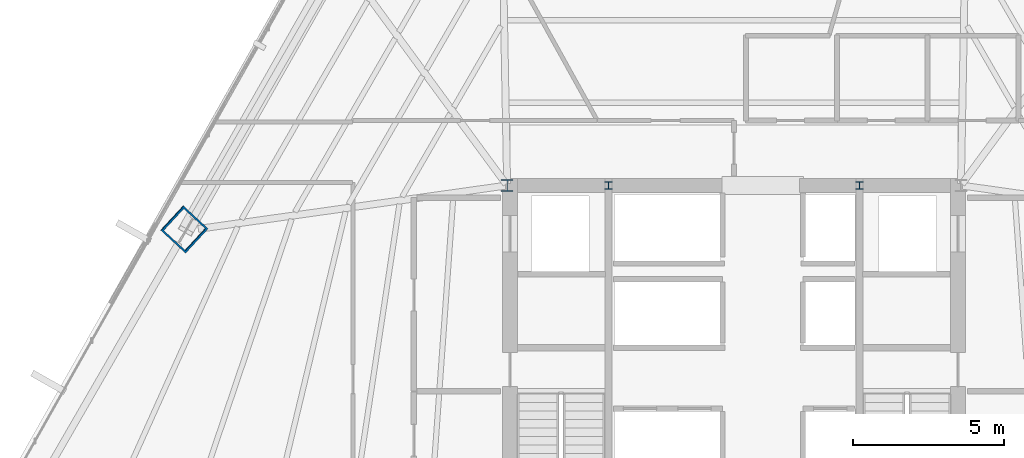
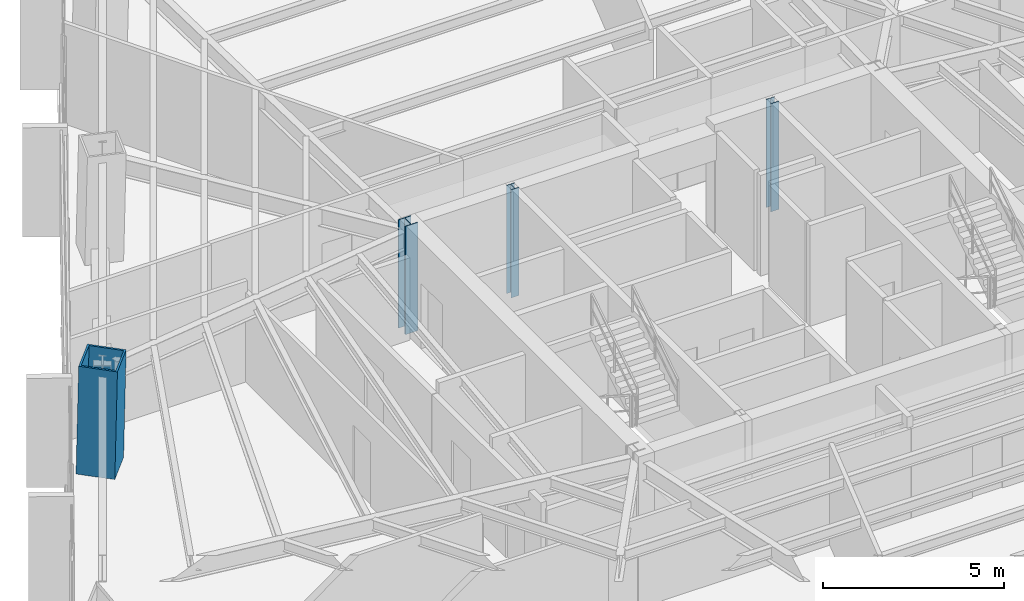
# One storey, part 2 of 35: 4 columns.
"""IFC4 building model written with IfcOpenShell, lengths in metres."""

from ifc_helpers import new_model, si_unit, direction, frame, origin, origin_2d, place, context, subcontext, project, spatial, hollow_rectangle, i_section, extrude, source, transform, mapped, material, material_profile, profile_set, type_object, type_shapes, element, save


model = new_model("IFC4")

# Units and contexts
model_context = context("Model", 3, precision=1e-05, world=origin(), true_north=direction((0.0, 1.0)))
body_context = subcontext(model_context, "Body", "Model", "MODEL_VIEW")
ifc_project = project(units=[si_unit("LENGTHUNIT", "METRE"), si_unit("AREAUNIT", "SQUARE_METRE"), si_unit("VOLUMEUNIT", "CUBIC_METRE"), si_unit("PLANEANGLEUNIT", "RADIAN"), si_unit("MASSUNIT", "GRAM", prefix="KILO")], contexts=[model_context])

# Site, building, storey
site_placement = place(None, origin())
site = spatial("IfcSite", under=ifc_project, at=site_placement, CompositionType="ELEMENT")
building_placement = place(site_placement, origin())
building = spatial("IfcBuilding", under=site, at=building_placement, Name="Caelisora Broadcast Tower", CompositionType="ELEMENT")
storey_placement = place(building_placement, frame((0.0, 0.0, 87.14990234375)))
storey = spatial("IfcBuildingStorey", under=building, at=storey_placement, Name="L22", CompositionType="ELEMENT", Elevation=87.14990234375)

# Columns
ifc_material_1 = material(Name="Steel Grade 350 (AS/NZS 3679.1)", Category="steel")
ifc_material_profile_1 = material_profile(ifc_material_1, i_section(OverallWidth=0.256103515625, OverallDepth=0.260009765625, WebThickness=0.010498046875, FlangeThickness=0.017333984375, at=origin_2d()), Name="Steel Grade 350 (AS/NZS 3679.1)")
ifc_profile_set_1 = profile_set([ifc_material_profile_1], Name="Steel Grade 350 (AS/NZS 3679.1)")
column_type_1 = type_object("IfcColumnType", Name="CC05", PredefinedType="COLUMN", material=ifc_profile_set_1)
shared_shape_1 = source(origin(), body_context, "Body", "SweptSolid", [
    extrude(i_section(OverallWidth=0.256103515625, OverallDepth=0.260009765625, WebThickness=0.010498046875, FlangeThickness=0.017333984375, at=origin_2d()), origin(), (0.0, 0.0, 1.0), 3.650146484375),
])
type_shapes(column_type_1, [shared_shape_1])
for number, where, z_axis, x_axis, name in (
    (1, (33.85009765625, 30.0, 0.0), (0.0, 0.0, 1.0), (1.0, 0.0, 0.0), "L22 column CC05"),
    (2, (42.14990234375, 30.0, 0.0), (0.0, 0.0, 1.0), (1.0, 0.0, 0.0), "L22 column CC05"),
):
    element("IfcColumn", number, at=place(storey_placement, frame(where, z_axis=z_axis, x_axis=x_axis)), inside=storey, type_object=column_type_1, Name=name, PredefinedType="COLUMN", context=body_context, shape_type="MappedRepresentation", body=[
        mapped(shared_shape_1, transform((0.0, 0.0, 0.0), scale=1.0)),
    ])
ifc_material_2 = material(Name="Steel Grade 350 L15 (AS/NZS 3678)", Category="steel")
ifc_material_profile_2 = material_profile(ifc_material_2, hollow_rectangle(XDim=1.10009765625, YDim=1.10009765625, WallThickness=0.06005859375, at=origin_2d()), Name="Steel Grade 350 L15 (AS/NZS 3678)")
ifc_profile_set_2 = profile_set([ifc_material_profile_2], Name="Steel Grade 350 L15 (AS/NZS 3678)")
column_type_2 = type_object("IfcColumnType", Name="MC03", PredefinedType="COLUMN", material=ifc_profile_set_2)
shared_shape_2 = source(origin(), body_context, "Body", "SweptSolid", [
    extrude(hollow_rectangle(XDim=1.10009765625, YDim=1.10009765625, WallThickness=0.06005859375, at=origin_2d()), origin(), (0.0, 0.0, 1.0), 3.65087890625),
])
type_shapes(column_type_2, [shared_shape_2])
column_1_placement = place(storey_placement, frame((19.8212890625, 28.5546875, 0.0), z_axis=(0.014912316331, -0.013775502979, 0.999793907933), x_axis=(0.678553674548, 0.734550822447, 0.0)))
element("IfcColumn", 3, at=column_1_placement, inside=storey, type_object=column_type_2, Name="L22 column MC03", PredefinedType="COLUMN", context=body_context, shape_type="MappedRepresentation", body=[
    mapped(shared_shape_2, transform((0.0, 0.0, 0.0), scale=1.0)),
])
ifc_material_3 = material(Name="Steel Grade 350 (AS/NZS 3679.2)", Category="steel")
ifc_material_profile_3 = material_profile(ifc_material_3, i_section(OverallWidth=0.39990234375, OverallDepth=0.39990234375, WebThickness=0.02001953125, FlangeThickness=0.031982421875, at=origin_2d()), Name="Steel Grade 350 (AS/NZS 3679.2)")
ifc_profile_set_3 = profile_set([ifc_material_profile_3], Name="Steel Grade 350 (AS/NZS 3679.2)")
column_type_3 = type_object("IfcColumnType", Name="CC02", PredefinedType="COLUMN", material=ifc_profile_set_3)
shared_shape_3 = source(origin(), body_context, "Body", "SweptSolid", [
    extrude(i_section(OverallWidth=0.39990234375, OverallDepth=0.39990234375, WebThickness=0.02001953125, FlangeThickness=0.031982421875, at=origin_2d()), origin(), (0.0, 0.0, 1.0), 3.650146484375),
])
type_shapes(column_type_3, [shared_shape_3])
column_2_placement = place(storey_placement, frame((30.5, 30.0, 0.0), z_axis=(0.0, 0.0, 1.0), x_axis=(1.0, 0.0, 0.0)))
element("IfcColumn", 4, at=column_2_placement, inside=storey, type_object=column_type_3, Name="L22 column CC02", PredefinedType="COLUMN", context=body_context, shape_type="MappedRepresentation", body=[
    mapped(shared_shape_3, transform((0.0, 0.0, 0.0), scale=1.0)),
])

save(model, "model.ifc")
